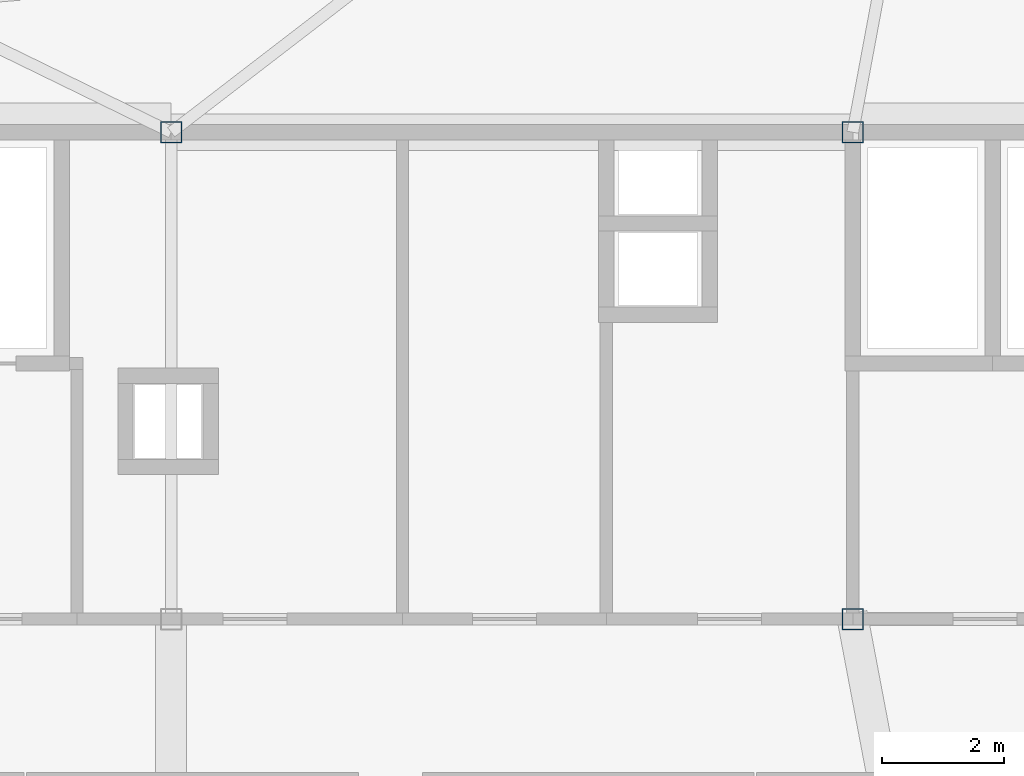
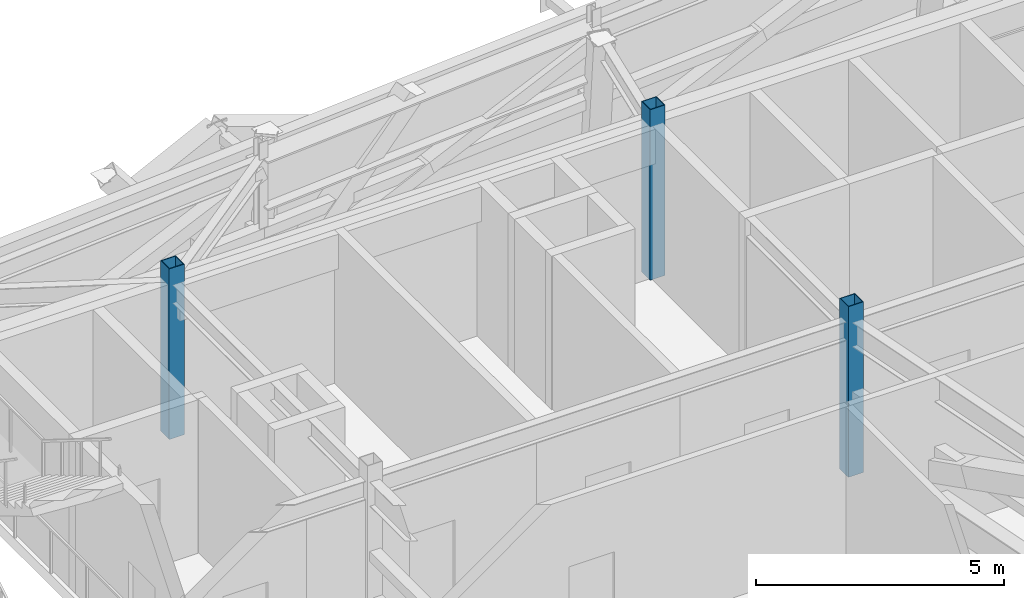
# One storey, part 3 of 26: 3 columns.
"""IFC4 building model written with IfcOpenShell, lengths in metres."""

from ifc_helpers import new_model, si_unit, direction, frame, origin, origin_2d, place, context, subcontext, project, spatial, hollow_rectangle, extrude, source, transform, mapped, material, material_profile, profile_set, type_object, element, save


model = new_model("IFC4")

# Units and contexts
model_context = context("Model", 3, precision=1e-05, world=origin(), true_north=direction((0.0, 1.0)))
body_context = subcontext(model_context, "Body", "Model", "MODEL_VIEW")
ifc_project = project(units=[si_unit("LENGTHUNIT", "METRE"), si_unit("AREAUNIT", "SQUARE_METRE"), si_unit("VOLUMEUNIT", "CUBIC_METRE"), si_unit("PLANEANGLEUNIT", "RADIAN"), si_unit("MASSUNIT", "GRAM", prefix="KILO")], contexts=[model_context])

# Site, building, storey
site_placement = place(None, origin())
site = spatial("IfcSite", under=ifc_project, at=site_placement, CompositionType="ELEMENT")
building_placement = place(site_placement, origin())
building = spatial("IfcBuilding", under=site, at=building_placement, Name="Taldren Reach Tower", CompositionType="ELEMENT")
storey_placement = place(building_placement, frame((0.0, 0.0, 207.199951171875)))
storey = spatial("IfcBuildingStorey", under=building, at=storey_placement, Name="L63", CompositionType="ELEMENT", Elevation=207.199951171875)

# Columns
ifc_material = material(Name="Steel Gr 450 (C450L0)", Category="steel")
ifc_material_profile = material_profile(ifc_material, hollow_rectangle(XDim=0.35009765625, YDim=0.35009765625, WallThickness=0.01611328125, at=origin_2d()), Name="350x350x16.0SHS")
ifc_profile_set = profile_set([ifc_material_profile], Name="Steel Gr 450 (C450L0)")
column_type = type_object("IfcColumnType", Name="COL-SHS350", PredefinedType="COLUMN", material=ifc_profile_set)
shared_shape = source(origin(), body_context, "Body", "SweptSolid", [
    extrude(hollow_rectangle(XDim=0.35009765625, YDim=0.35009765625, WallThickness=0.01611328125, at=origin_2d()), origin(), (0.0, 0.0, 1.0), 4.199951171875),
])
for number, where, z_axis, x_axis, name in (
    (1, (39.199951171875, 24.0, 0.0), (0.0, 0.0, 1.0), (1.0, 0.0, 0.0), "Mega column MC-C3 L63"),
    (2, (28.0, 32.0, 0.0), (0.0, 0.0, 1.0), (1.0, 0.0, 0.0), "Mega column MC-C6 L63"),
    (3, (39.199951171875, 32.0, 0.0), (0.0, 0.0, 1.0), (1.0, 0.0, 0.0), "Mega column MC-C7 L63"),
):
    element("IfcColumn", number, at=place(storey_placement, frame(where, z_axis=z_axis, x_axis=x_axis)), inside=storey, type_object=column_type, Name=name, PredefinedType="COLUMN", context=body_context, shape_type="MappedRepresentation", body=[
        mapped(shared_shape, transform((0.0, 0.0, 0.0), scale=1.0)),
    ])

save(model, "model.ifc")
